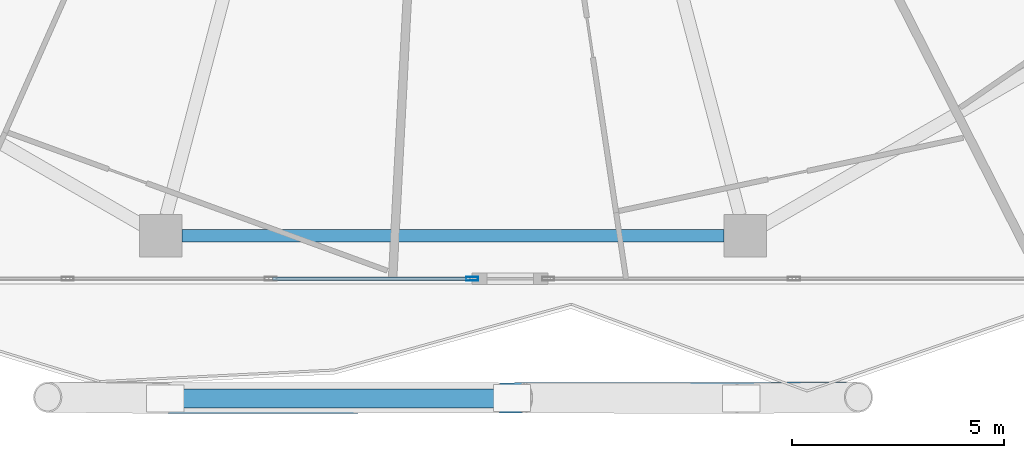
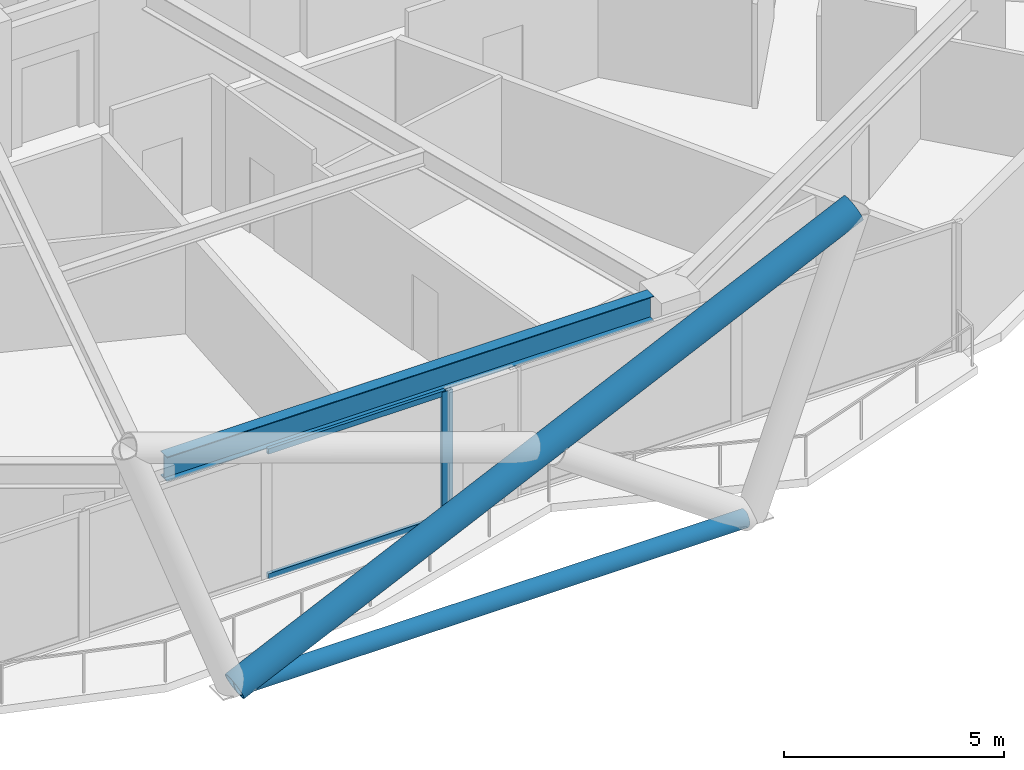
# One storey, part 4 of 29: 5 members, 1 beam, 1 element without a shape of its own.
"""IFC4 building model written with IfcOpenShell, lengths in metres."""

from ifc_helpers import new_model, si_unit, direction, frame, origin, origin_2d, place, context, subcontext, project, spatial, hollow_rectangle, hollow_circle, i_section, extrude, material, material_profile, profile_set, type_object, element, aggregate, save


model = new_model("IFC4")

# Units and contexts
model_context = context("Model", 3, precision=1e-05, world=origin(), true_north=direction((0.0, 1.0)))
body_context = subcontext(model_context, "Body", "Model", "MODEL_VIEW")
ifc_project = project(units=[si_unit("LENGTHUNIT", "METRE"), si_unit("AREAUNIT", "SQUARE_METRE"), si_unit("VOLUMEUNIT", "CUBIC_METRE"), si_unit("PLANEANGLEUNIT", "RADIAN"), si_unit("MASSUNIT", "GRAM", prefix="KILO")], contexts=[model_context])

# Site, building, storey
site_placement = place(None, origin())
site = spatial("IfcSite", under=ifc_project, at=site_placement, CompositionType="ELEMENT")
building_placement = place(site_placement, origin())
building = spatial("IfcBuilding", under=site, at=building_placement, Name="Zuhravey Tower", CompositionType="ELEMENT")
storey_placement = place(building_placement, frame((0.0, 0.0, 184.60009765625)))
storey = spatial("IfcBuildingStorey", under=building, at=storey_placement, Name="L46", CompositionType="ELEMENT", Elevation=184.60009765625)

# Curtain wall, members
ifc_material_1 = material(Name="Thermally broken anodised aluminium", Category="aluminium")
curtain_wall_type = type_object("IfcCurtainWallType", Name="Zone 1-2 Residential Curtain Wall CW3", PredefinedType="NOTDEFINED", material=ifc_material_1)
curtain_wall_placement = place(storey_placement, origin())
curtain_wall = element("IfcCurtainWall", 1, at=curtain_wall_placement, inside=storey, type_object=curtain_wall_type, Name="L46 CW3 CW-L46-F5-2", PredefinedType="NOTDEFINED")
ifc_material_2 = material(Name="Anodised aluminium", Category="aluminium")
ifc_material_profile_1 = material_profile(ifc_material_2, hollow_rectangle(XDim=0.090087890625, YDim=0.284912109375, WallThickness=0.0048828125, at=origin_2d()), Name="ALU-RHS-90x285x5")
ifc_profile_set_1 = profile_set([ifc_material_profile_1], Name="Anodised aluminium")
member_type_1 = type_object("IfcMemberType", Name="Curtain-Wall Mullion 90x180", PredefinedType="MULLION", material=ifc_profile_set_1)
member_1_placement = place(storey_placement, frame((36.44775390625, 4.81689453125, 0.0), z_axis=(0.0, 0.0, 1.0), x_axis=(0.0, -1.0, 0.0)))
member_1 = element("IfcMember", 2, at=member_1_placement, type_object=member_type_1, Name="CW3 mullion 1", PredefinedType="MULLION", context=body_context, shape_type="SweptSolid", body=[
    extrude(hollow_rectangle(XDim=0.090087890625, YDim=0.284912109375, WallThickness=0.0048828125, at=origin_2d()), origin(), (0.0, 0.0, 1.0), 3.5498046875),
])
ifc_material_profile_2 = material_profile(ifc_material_2, hollow_rectangle(XDim=0.090087890625, YDim=0.14990234375, WallThickness=0.0048828125, at=origin_2d()), Name="ALU-RHS-90x150x5")
ifc_profile_set_2 = profile_set([ifc_material_profile_2], Name="Anodised aluminium")
member_type_2 = type_object("IfcMemberType", Name="Curtain-Wall Transom 90x150", PredefinedType="USERDEFINED", material=ifc_profile_set_2)
member_2_placement = place(storey_placement, frame((36.40283203125, 4.81689453125, 0.044921875), z_axis=(-1.0, 0.0, 0.0), x_axis=(0.0, -1.0, 0.0)))
member_2 = element("IfcMember", 3, at=member_2_placement, type_object=member_type_2, Name="CW3 transom 1.1", ObjectType="TRANSOM", PredefinedType="USERDEFINED", context=body_context, shape_type="SweptSolid", body=[
    extrude(hollow_rectangle(XDim=0.090087890625, YDim=0.14990234375, WallThickness=0.0048828125, at=origin_2d()), origin(), (0.0, 0.0, 1.0), 4.649658203125),
])
member_3_placement = place(storey_placement, frame((36.40283203125, 4.81689453125, 3.5048828125), z_axis=(-1.0, 0.0, 0.0), x_axis=(0.0, -1.0, 0.0)))
member_3 = element("IfcMember", 4, at=member_3_placement, type_object=member_type_2, Name="CW3 transom 1.2", ObjectType="TRANSOM", PredefinedType="USERDEFINED", context=body_context, shape_type="SweptSolid", body=[
    extrude(hollow_rectangle(XDim=0.090087890625, YDim=0.14990234375, WallThickness=0.0048828125, at=origin_2d()), origin(), (0.0, 0.0, 1.0), 4.649658203125),
])
aggregate(curtain_wall, [member_1, member_2, member_3])

# Members
ifc_material_3 = material(Name="Steel SM355", Category="steel")
ifc_material_profile_3 = material_profile(ifc_material_3, hollow_circle(Radius=0.228515625, WallThickness=0.02197265625, at=origin_2d()), Name="CHS-457.2x22")
ifc_profile_set_3 = profile_set([ifc_material_profile_3], Name="Steel SM355")
member_type_3 = type_object("IfcMemberType", Name="Exoskeleton Ring Tie CHS457x22", PredefinedType="CHORD", material=ifc_profile_set_3)
member_4_placement = place(storey_placement, frame((29.35888671875, 1.996826171875, -0.464111328125), z_axis=(1.0, 0.0, 0.0), x_axis=(0.0, 1.0, 0.0)))
element("IfcMember", 5, at=member_4_placement, inside=storey, type_object=member_type_3, Name="L46 Exoskeleton Face 5 Tie EXR1", PredefinedType="CHORD", context=body_context, shape_type="SweptSolid", body=[
    extrude(hollow_circle(Radius=0.228515625, WallThickness=0.02197265625, at=origin_2d()), origin(), (0.0, 0.0, 1.0), 13.2822265625),
])
ifc_material_4 = material(Name="Steel SM460", Category="steel")
ifc_material_profile_4 = material_profile(ifc_material_4, hollow_circle(Radius=0.355712890625, WallThickness=0.031982421875, at=origin_2d()), Name="CHS-711.2x32")
ifc_profile_set_4 = profile_set([ifc_material_profile_4], Name="Steel SM460")
member_type_4 = type_object("IfcMemberType", Name="Exoskeleton Zone 2 Diagrid CHS711x32", PredefinedType="BRACE", material=ifc_profile_set_4)
member_5_placement = place(storey_placement, frame((29.261962890625, 1.9970703125, -0.444091796875), z_axis=(0.906678910824, 0.001661881417, 0.421818196403), x_axis=(-0.001832929613, 0.999998320183, 0.0)))
element("IfcMember", 6, at=member_5_placement, inside=storey, type_object=member_type_4, Name="L46 Face 5 Diagrid Brace 2", PredefinedType="BRACE", context=body_context, shape_type="SweptSolid", body=[
    extrude(hollow_circle(Radius=0.355712890625, WallThickness=0.031982421875, at=origin_2d()), origin(), (0.0, 0.0, 1.0), 17.922607421875),
])

# Beam
ifc_material_profile_5 = material_profile(ifc_material_3, i_section(OverallWidth=0.300048828125, OverallDepth=0.679931640625, WebThickness=0.012939453125, FlangeThickness=0.02197265625, at=origin_2d()), Name="H-680x300x13x22")
ifc_profile_set_5 = profile_set([ifc_material_profile_5], Name="Steel SM355")
beam_type = type_object("IfcBeamType", Name="Perimeter Ring Beam H680x300", PredefinedType="BEAM", material=ifc_profile_set_5)
beam_placement = place(storey_placement, frame((29.62109375, 5.826904296875, 3.2099609375), z_axis=(1.0, 0.0, 0.0), x_axis=(0.0, 1.0, 0.0)))
element("IfcBeam", 7, at=beam_placement, inside=storey, type_object=beam_type, Name="L46 PB2 BM-L46-PB-09", PredefinedType="BEAM", context=body_context, shape_type="SweptSolid", body=[
    extrude(i_section(OverallWidth=0.300048828125, OverallDepth=0.679931640625, WebThickness=0.012939453125, FlangeThickness=0.02197265625, at=origin_2d()), origin(), (0.0, 0.0, 1.0), 12.7578125),
])

save(model, "model.ifc")
